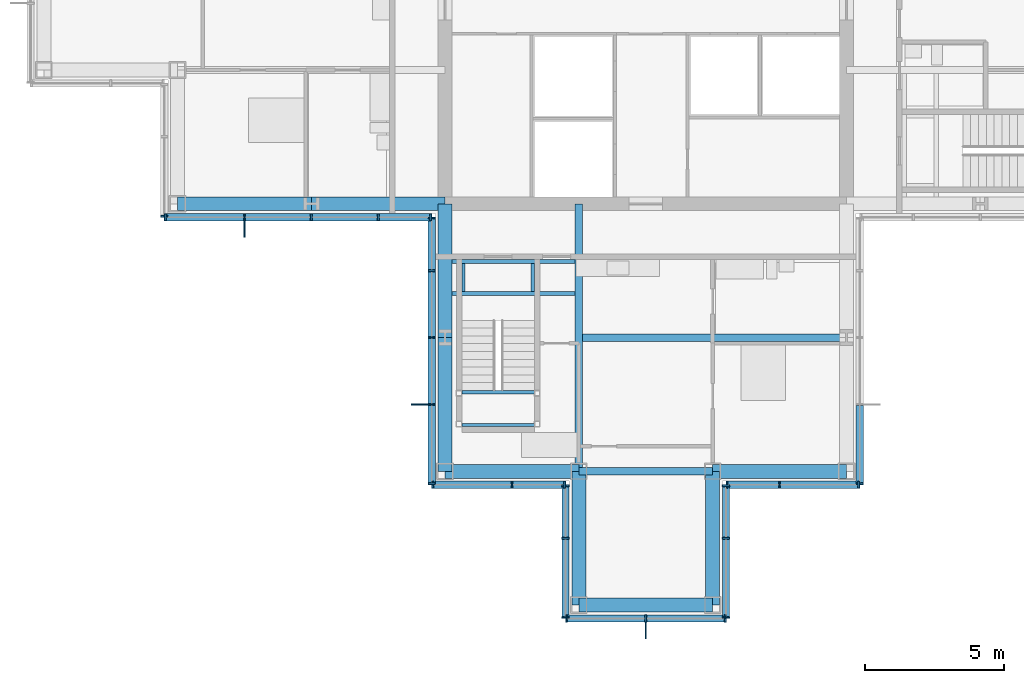
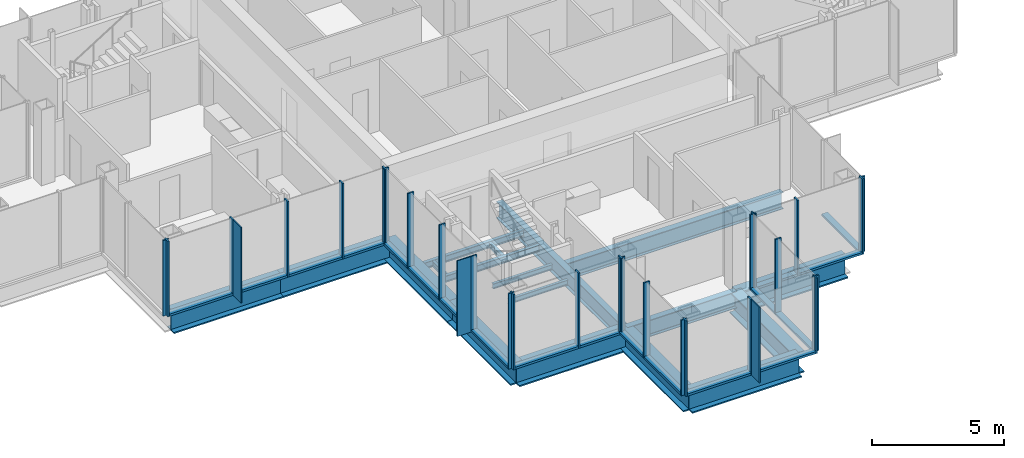
# One storey, part 5 of 15: 49 members, 18 beams, 9 elements without a shape of their own.
"""IFC4 building model written with IfcOpenShell, lengths in metres."""

from ifc_helpers import new_model, si_unit, direction, frame, origin, origin_2d, place, context, subcontext, project, spatial, rectangle, i_section, extrude, material, material_profile, profile_set, type_object, element, aggregate, save


model = new_model("IFC4")

# Units and contexts
model_context = context("Model", 3, precision=1e-05, world=origin(), true_north=direction((0.0, 1.0)))
body_context = subcontext(model_context, "Body", "Model", "MODEL_VIEW")
ifc_project = project(units=[si_unit("LENGTHUNIT", "METRE"), si_unit("AREAUNIT", "SQUARE_METRE"), si_unit("VOLUMEUNIT", "CUBIC_METRE"), si_unit("PLANEANGLEUNIT", "RADIAN"), si_unit("MASSUNIT", "GRAM", prefix="KILO")], contexts=[model_context])

# Site, building, storey
site_placement = place(None, origin())
site = spatial("IfcSite", under=ifc_project, at=site_placement, CompositionType="ELEMENT")
building_placement = place(site_placement, origin())
building = spatial("IfcBuilding", under=site, at=building_placement, Name="Kvirike Care Tower", CompositionType="ELEMENT")
storey_placement = place(building_placement, frame((0.0, 0.0, 198.0)))
storey = spatial("IfcBuildingStorey", under=building, at=storey_placement, Name="L54", CompositionType="ELEMENT", Elevation=198.0)

# Curtain wall, member
ifc_material_1 = material(Name="Anodised aluminium stick system", Category="aluminium")
curtain_wall_type = type_object("IfcCurtainWallType", Name="CW-D STICK CURTAIN WALL", PredefinedType="NOTDEFINED", material=ifc_material_1)
curtain_wall_1_placement = place(storey_placement, origin())
curtain_wall_1 = element("IfcCurtainWall", 1, at=curtain_wall_1_placement, inside=storey, type_object=curtain_wall_type, Name="Curtain wall L54 face 13", PredefinedType="NOTDEFINED")
ifc_material_2 = material(Name="Bronze anodised aluminium fin", Category="aluminium")
ifc_material_profile_1 = material_profile(ifc_material_2, rectangle(XDim=0.050048828125, YDim=0.60009765625, at=origin_2d()), Name="BRONZE FIN 600")
ifc_profile_set_1 = profile_set([ifc_material_profile_1], Name="Bronze anodised aluminium fin")
member_type_1 = type_object("IfcMemberType", Name="BRONZE FIN 600", PredefinedType="USERDEFINED", material=ifc_profile_set_1)
member_1_placement = place(storey_placement, frame((7.199951171875, 27.889892578125, 0.0), z_axis=(0.0, 0.0, 1.0), x_axis=(1.0, 0.0, 0.0)))
member_1 = element("IfcMember", 2, at=member_1_placement, type_object=member_type_1, Name="Bronze fin L54 face 13.2", ObjectType="FIN", PredefinedType="USERDEFINED", context=body_context, shape_type="SweptSolid", body=[
    extrude(rectangle(XDim=0.050048828125, YDim=0.60009765625, at=origin_2d()), origin(), (0.0, 0.0, 1.0), 3.5),
])

curtain_wall_2_placement = place(storey_placement, origin())
curtain_wall_2 = element("IfcCurtainWall", 3, at=curtain_wall_2_placement, inside=storey, type_object=curtain_wall_type, Name="Curtain wall L54 face 14", PredefinedType="NOTDEFINED")
member_2_placement = place(storey_placement, frame((13.489990234375, 21.60009765625, 0.0), z_axis=(0.0, 0.0, 1.0), x_axis=(0.0, -1.0, 0.0)))
member_2 = element("IfcMember", 4, at=member_2_placement, type_object=member_type_1, Name="Bronze fin L54 face 14.4", ObjectType="FIN", PredefinedType="USERDEFINED", context=body_context, shape_type="SweptSolid", body=[
    extrude(rectangle(XDim=0.050048828125, YDim=0.60009765625, at=origin_2d()), origin(), (0.0, 0.0, 1.0), 3.5),
])

curtain_wall_3_placement = place(storey_placement, origin())
curtain_wall_3 = element("IfcCurtainWall", 5, at=curtain_wall_3_placement, inside=storey, type_object=curtain_wall_type, Name="Curtain wall L54 face 17", PredefinedType="NOTDEFINED")
member_3_placement = place(storey_placement, frame((21.60009765625, 13.489990234375, 0.0), z_axis=(0.0, 0.0, 1.0), x_axis=(1.0, 0.0, 0.0)))
member_3 = element("IfcMember", 6, at=member_3_placement, type_object=member_type_1, Name="Bronze fin L54 face 17.2", ObjectType="FIN", PredefinedType="USERDEFINED", context=body_context, shape_type="SweptSolid", body=[
    extrude(rectangle(XDim=0.050048828125, YDim=0.60009765625, at=origin_2d()), origin(), (0.0, 0.0, 1.0), 3.5),
])

curtain_wall_4_placement = place(storey_placement, origin())
curtain_wall_4 = element("IfcCurtainWall", 7, at=curtain_wall_4_placement, inside=storey, type_object=curtain_wall_type, Name="Curtain wall L54 face 12", PredefinedType="NOTDEFINED")
ifc_material_3 = material(Name="Bronze anodised aluminium mullion", Category="aluminium")
ifc_material_profile_2 = material_profile(ifc_material_3, rectangle(XDim=0.06494140625, YDim=0.260009765625, at=origin_2d()), Name="CW-D MULLION 65x260")
ifc_profile_set_2 = profile_set([ifc_material_profile_2], Name="Bronze anodised aluminium mullion")
member_type_2 = type_object("IfcMemberType", Name="CW-D MULLION 65x260", PredefinedType="MULLION", material=ifc_profile_set_2)
member_4_placement = place(storey_placement, frame((4.320068359375, 28.3525390625, 0.0), z_axis=(0.0, 0.0, 1.0), x_axis=(0.0, -1.0, 0.0)))
member_4 = element("IfcMember", 8, at=member_4_placement, type_object=member_type_2, Name="CW-D mullion L54 face 12.3", PredefinedType="MULLION", context=body_context, shape_type="SweptSolid", body=[
    extrude(rectangle(XDim=0.06494140625, YDim=0.260009765625, at=origin_2d()), origin(), (0.0, 0.0, 1.0), 3.5),
])
aggregate(curtain_wall_4, [member_4])

# Member
member_5_placement = place(storey_placement, frame((4.3525390625, 28.320068359375, 0.0), z_axis=(0.0, 0.0, 1.0), x_axis=(1.0, 0.0, 0.0)))
member_5 = element("IfcMember", 9, at=member_5_placement, type_object=member_type_2, Name="CW-D mullion L54 face 13.1", PredefinedType="MULLION", context=body_context, shape_type="SweptSolid", body=[
    extrude(rectangle(XDim=0.06494140625, YDim=0.260009765625, at=origin_2d()), origin(), (0.0, 0.0, 1.0), 3.5),
])

member_6_placement = place(storey_placement, frame((7.199951171875, 28.320068359375, 0.0), z_axis=(0.0, 0.0, 1.0), x_axis=(1.0, 0.0, 0.0)))
member_6 = element("IfcMember", 10, at=member_6_placement, type_object=member_type_2, Name="CW-D mullion L54 face 13.2", PredefinedType="MULLION", context=body_context, shape_type="SweptSolid", body=[
    extrude(rectangle(XDim=0.06494140625, YDim=0.260009765625, at=origin_2d()), origin(), (0.0, 0.0, 1.0), 3.5),
])

member_7_placement = place(storey_placement, frame((9.60009765625, 28.320068359375, 0.0), z_axis=(0.0, 0.0, 1.0), x_axis=(1.0, 0.0, 0.0)))
member_7 = element("IfcMember", 11, at=member_7_placement, type_object=member_type_2, Name="CW-D mullion L54 face 13.3", PredefinedType="MULLION", context=body_context, shape_type="SweptSolid", body=[
    extrude(rectangle(XDim=0.06494140625, YDim=0.260009765625, at=origin_2d()), origin(), (0.0, 0.0, 1.0), 3.5),
])

member_8_placement = place(storey_placement, frame((12.0, 28.320068359375, 0.0), z_axis=(0.0, 0.0, 1.0), x_axis=(1.0, 0.0, 0.0)))
member_8 = element("IfcMember", 12, at=member_8_placement, type_object=member_type_2, Name="CW-D mullion L54 face 13.4", PredefinedType="MULLION", context=body_context, shape_type="SweptSolid", body=[
    extrude(rectangle(XDim=0.06494140625, YDim=0.260009765625, at=origin_2d()), origin(), (0.0, 0.0, 1.0), 3.5),
])

member_9_placement = place(storey_placement, frame((13.887451171875, 28.320068359375, 0.0), z_axis=(0.0, 0.0, 1.0), x_axis=(1.0, 0.0, 0.0)))
member_9 = element("IfcMember", 13, at=member_9_placement, type_object=member_type_2, Name="CW-D mullion L54 face 13.5", PredefinedType="MULLION", context=body_context, shape_type="SweptSolid", body=[
    extrude(rectangle(XDim=0.06494140625, YDim=0.260009765625, at=origin_2d()), origin(), (0.0, 0.0, 1.0), 3.5),
])

member_10_placement = place(storey_placement, frame((13.919921875, 28.28759765625, 0.0), z_axis=(0.0, 0.0, 1.0), x_axis=(0.0, -1.0, 0.0)))
member_10 = element("IfcMember", 14, at=member_10_placement, type_object=member_type_2, Name="CW-D mullion L54 face 14.1", PredefinedType="MULLION", context=body_context, shape_type="SweptSolid", body=[
    extrude(rectangle(XDim=0.06494140625, YDim=0.260009765625, at=origin_2d()), origin(), (0.0, 0.0, 1.0), 3.5),
])

member_11_placement = place(storey_placement, frame((13.919921875, 26.39990234375, 0.0), z_axis=(0.0, 0.0, 1.0), x_axis=(0.0, -1.0, 0.0)))
member_11 = element("IfcMember", 15, at=member_11_placement, type_object=member_type_2, Name="CW-D mullion L54 face 14.2", PredefinedType="MULLION", context=body_context, shape_type="SweptSolid", body=[
    extrude(rectangle(XDim=0.06494140625, YDim=0.260009765625, at=origin_2d()), origin(), (0.0, 0.0, 1.0), 3.5),
])

member_12_placement = place(storey_placement, frame((13.919921875, 24.0, 0.0), z_axis=(0.0, 0.0, 1.0), x_axis=(0.0, -1.0, 0.0)))
member_12 = element("IfcMember", 16, at=member_12_placement, type_object=member_type_2, Name="CW-D mullion L54 face 14.3", PredefinedType="MULLION", context=body_context, shape_type="SweptSolid", body=[
    extrude(rectangle(XDim=0.06494140625, YDim=0.260009765625, at=origin_2d()), origin(), (0.0, 0.0, 1.0), 3.5),
])

member_13_placement = place(storey_placement, frame((13.919921875, 21.60009765625, 0.0), z_axis=(0.0, 0.0, 1.0), x_axis=(0.0, -1.0, 0.0)))
member_13 = element("IfcMember", 17, at=member_13_placement, type_object=member_type_2, Name="CW-D mullion L54 face 14.4", PredefinedType="MULLION", context=body_context, shape_type="SweptSolid", body=[
    extrude(rectangle(XDim=0.06494140625, YDim=0.260009765625, at=origin_2d()), origin(), (0.0, 0.0, 1.0), 3.5),
])

member_14_placement = place(storey_placement, frame((13.919921875, 18.75244140625, 0.0), z_axis=(0.0, 0.0, 1.0), x_axis=(0.0, -1.0, 0.0)))
member_14 = element("IfcMember", 18, at=member_14_placement, type_object=member_type_2, Name="CW-D mullion L54 face 14.5", PredefinedType="MULLION", context=body_context, shape_type="SweptSolid", body=[
    extrude(rectangle(XDim=0.06494140625, YDim=0.260009765625, at=origin_2d()), origin(), (0.0, 0.0, 1.0), 3.5),
])

# Curtain wall, members
curtain_wall_5_placement = place(storey_placement, origin())
curtain_wall_5 = element("IfcCurtainWall", 19, at=curtain_wall_5_placement, inside=storey, type_object=curtain_wall_type, Name="Curtain wall L54 face 15", PredefinedType="NOTDEFINED")
member_15_placement = place(storey_placement, frame((13.952392578125, 18.719970703125, 0.0), z_axis=(0.0, 0.0, 1.0), x_axis=(1.0, 0.0, 0.0)))
member_15 = element("IfcMember", 20, at=member_15_placement, type_object=member_type_2, Name="CW-D mullion L54 face 15.1", PredefinedType="MULLION", context=body_context, shape_type="SweptSolid", body=[
    extrude(rectangle(XDim=0.06494140625, YDim=0.260009765625, at=origin_2d()), origin(), (0.0, 0.0, 1.0), 3.5),
])
member_16_placement = place(storey_placement, frame((16.800048828125, 18.719970703125, 0.0), z_axis=(0.0, 0.0, 1.0), x_axis=(1.0, 0.0, 0.0)))
member_16 = element("IfcMember", 21, at=member_16_placement, type_object=member_type_2, Name="CW-D mullion L54 face 15.2", PredefinedType="MULLION", context=body_context, shape_type="SweptSolid", body=[
    extrude(rectangle(XDim=0.06494140625, YDim=0.260009765625, at=origin_2d()), origin(), (0.0, 0.0, 1.0), 3.5),
])
member_17_placement = place(storey_placement, frame((18.6875, 18.719970703125, 0.0), z_axis=(0.0, 0.0, 1.0), x_axis=(1.0, 0.0, 0.0)))
member_17 = element("IfcMember", 22, at=member_17_placement, type_object=member_type_2, Name="CW-D mullion L54 face 15.3", PredefinedType="MULLION", context=body_context, shape_type="SweptSolid", body=[
    extrude(rectangle(XDim=0.06494140625, YDim=0.260009765625, at=origin_2d()), origin(), (0.0, 0.0, 1.0), 3.5),
])

curtain_wall_6_placement = place(storey_placement, origin())
curtain_wall_6 = element("IfcCurtainWall", 23, at=curtain_wall_6_placement, inside=storey, type_object=curtain_wall_type, Name="Curtain wall L54 face 16", PredefinedType="NOTDEFINED")
member_18_placement = place(storey_placement, frame((18.719970703125, 18.6875, 0.0), z_axis=(0.0, 0.0, 1.0), x_axis=(0.0, -1.0, 0.0)))
member_18 = element("IfcMember", 24, at=member_18_placement, type_object=member_type_2, Name="CW-D mullion L54 face 16.1", PredefinedType="MULLION", context=body_context, shape_type="SweptSolid", body=[
    extrude(rectangle(XDim=0.06494140625, YDim=0.260009765625, at=origin_2d()), origin(), (0.0, 0.0, 1.0), 3.5),
])
member_19_placement = place(storey_placement, frame((18.719970703125, 16.800048828125, 0.0), z_axis=(0.0, 0.0, 1.0), x_axis=(0.0, -1.0, 0.0)))
member_19 = element("IfcMember", 25, at=member_19_placement, type_object=member_type_2, Name="CW-D mullion L54 face 16.2", PredefinedType="MULLION", context=body_context, shape_type="SweptSolid", body=[
    extrude(rectangle(XDim=0.06494140625, YDim=0.260009765625, at=origin_2d()), origin(), (0.0, 0.0, 1.0), 3.5),
])
member_20_placement = place(storey_placement, frame((18.719970703125, 13.952392578125, 0.0), z_axis=(0.0, 0.0, 1.0), x_axis=(0.0, -1.0, 0.0)))
member_20 = element("IfcMember", 26, at=member_20_placement, type_object=member_type_2, Name="CW-D mullion L54 face 16.3", PredefinedType="MULLION", context=body_context, shape_type="SweptSolid", body=[
    extrude(rectangle(XDim=0.06494140625, YDim=0.260009765625, at=origin_2d()), origin(), (0.0, 0.0, 1.0), 3.5),
])

# Member
member_21_placement = place(storey_placement, frame((18.75244140625, 13.919921875, 0.0), z_axis=(0.0, 0.0, 1.0), x_axis=(1.0, 0.0, 0.0)))
member_21 = element("IfcMember", 27, at=member_21_placement, type_object=member_type_2, Name="CW-D mullion L54 face 17.1", PredefinedType="MULLION", context=body_context, shape_type="SweptSolid", body=[
    extrude(rectangle(XDim=0.06494140625, YDim=0.260009765625, at=origin_2d()), origin(), (0.0, 0.0, 1.0), 3.5),
])

member_22_placement = place(storey_placement, frame((21.60009765625, 13.919921875, 0.0), z_axis=(0.0, 0.0, 1.0), x_axis=(1.0, 0.0, 0.0)))
member_22 = element("IfcMember", 28, at=member_22_placement, type_object=member_type_2, Name="CW-D mullion L54 face 17.2", PredefinedType="MULLION", context=body_context, shape_type="SweptSolid", body=[
    extrude(rectangle(XDim=0.06494140625, YDim=0.260009765625, at=origin_2d()), origin(), (0.0, 0.0, 1.0), 3.5),
])

member_23_placement = place(storey_placement, frame((24.447509765625, 13.919921875, 0.0), z_axis=(0.0, 0.0, 1.0), x_axis=(1.0, 0.0, 0.0)))
member_23 = element("IfcMember", 29, at=member_23_placement, type_object=member_type_2, Name="CW-D mullion L54 face 17.3", PredefinedType="MULLION", context=body_context, shape_type="SweptSolid", body=[
    extrude(rectangle(XDim=0.06494140625, YDim=0.260009765625, at=origin_2d()), origin(), (0.0, 0.0, 1.0), 3.5),
])

# Curtain wall, members
curtain_wall_7_placement = place(storey_placement, origin())
curtain_wall_7 = element("IfcCurtainWall", 30, at=curtain_wall_7_placement, inside=storey, type_object=curtain_wall_type, Name="Curtain wall L54 face 18", PredefinedType="NOTDEFINED")
member_24_placement = place(storey_placement, frame((24.47998046875, 13.952392578125, 0.0), z_axis=(0.0, 0.0, 1.0), x_axis=(0.0, 1.0, 0.0)))
member_24 = element("IfcMember", 31, at=member_24_placement, type_object=member_type_2, Name="CW-D mullion L54 face 18.1", PredefinedType="MULLION", context=body_context, shape_type="SweptSolid", body=[
    extrude(rectangle(XDim=0.06494140625, YDim=0.260009765625, at=origin_2d()), origin(), (0.0, 0.0, 1.0), 3.5),
])
member_25_placement = place(storey_placement, frame((24.47998046875, 16.800048828125, 0.0), z_axis=(0.0, 0.0, 1.0), x_axis=(0.0, 1.0, 0.0)))
member_25 = element("IfcMember", 32, at=member_25_placement, type_object=member_type_2, Name="CW-D mullion L54 face 18.2", PredefinedType="MULLION", context=body_context, shape_type="SweptSolid", body=[
    extrude(rectangle(XDim=0.06494140625, YDim=0.260009765625, at=origin_2d()), origin(), (0.0, 0.0, 1.0), 3.5),
])
member_26_placement = place(storey_placement, frame((24.47998046875, 18.6875, 0.0), z_axis=(0.0, 0.0, 1.0), x_axis=(0.0, 1.0, 0.0)))
member_26 = element("IfcMember", 33, at=member_26_placement, type_object=member_type_2, Name="CW-D mullion L54 face 18.3", PredefinedType="MULLION", context=body_context, shape_type="SweptSolid", body=[
    extrude(rectangle(XDim=0.06494140625, YDim=0.260009765625, at=origin_2d()), origin(), (0.0, 0.0, 1.0), 3.5),
])

curtain_wall_8_placement = place(storey_placement, origin())
curtain_wall_8 = element("IfcCurtainWall", 34, at=curtain_wall_8_placement, inside=storey, type_object=curtain_wall_type, Name="Curtain wall L54 face 19", PredefinedType="NOTDEFINED")
member_27_placement = place(storey_placement, frame((24.512451171875, 18.719970703125, 0.0), z_axis=(0.0, 0.0, 1.0), x_axis=(1.0, 0.0, 0.0)))
member_27 = element("IfcMember", 35, at=member_27_placement, type_object=member_type_2, Name="CW-D mullion L54 face 19.1", PredefinedType="MULLION", context=body_context, shape_type="SweptSolid", body=[
    extrude(rectangle(XDim=0.06494140625, YDim=0.260009765625, at=origin_2d()), origin(), (0.0, 0.0, 1.0), 3.5),
])
member_28_placement = place(storey_placement, frame((26.39990234375, 18.719970703125, 0.0), z_axis=(0.0, 0.0, 1.0), x_axis=(1.0, 0.0, 0.0)))
member_28 = element("IfcMember", 36, at=member_28_placement, type_object=member_type_2, Name="CW-D mullion L54 face 19.2", PredefinedType="MULLION", context=body_context, shape_type="SweptSolid", body=[
    extrude(rectangle(XDim=0.06494140625, YDim=0.260009765625, at=origin_2d()), origin(), (0.0, 0.0, 1.0), 3.5),
])
member_29_placement = place(storey_placement, frame((29.24755859375, 18.719970703125, 0.0), z_axis=(0.0, 0.0, 1.0), x_axis=(1.0, 0.0, 0.0)))
member_29 = element("IfcMember", 37, at=member_29_placement, type_object=member_type_2, Name="CW-D mullion L54 face 19.3", PredefinedType="MULLION", context=body_context, shape_type="SweptSolid", body=[
    extrude(rectangle(XDim=0.06494140625, YDim=0.260009765625, at=origin_2d()), origin(), (0.0, 0.0, 1.0), 3.5),
])

# Curtain wall, member
curtain_wall_9_placement = place(storey_placement, origin())
curtain_wall_9 = element("IfcCurtainWall", 38, at=curtain_wall_9_placement, inside=storey, type_object=curtain_wall_type, Name="Curtain wall L54 face 20", PredefinedType="NOTDEFINED")
member_30_placement = place(storey_placement, frame((29.280029296875, 18.75244140625, 0.0), z_axis=(0.0, 0.0, 1.0), x_axis=(0.0, 1.0, 0.0)))
member_30 = element("IfcMember", 39, at=member_30_placement, type_object=member_type_2, Name="CW-D mullion L54 face 20.1", PredefinedType="MULLION", context=body_context, shape_type="SweptSolid", body=[
    extrude(rectangle(XDim=0.06494140625, YDim=0.260009765625, at=origin_2d()), origin(), (0.0, 0.0, 1.0), 3.5),
])

# Member
ifc_material_4 = material(Name="Bronze anodised aluminium transom", Category="aluminium")
ifc_material_profile_3 = material_profile(ifc_material_4, rectangle(XDim=0.260009765625, YDim=0.10009765625, at=origin_2d()), Name="CW-D TRANSOM 260x100")
ifc_profile_set_3 = profile_set([ifc_material_profile_3], Name="Bronze anodised aluminium transom")
member_type_3 = type_object("IfcMemberType", Name="CW-D TRANSOM 260x100", PredefinedType="USERDEFINED", material=ifc_profile_set_3)
member_31_placement = place(storey_placement, frame((4.385009765625, 28.320068359375, 0.050048828125), z_axis=(1.0, 0.0, 0.0), x_axis=(0.0, 1.0, 0.0)))
member_31 = element("IfcMember", 40, at=member_31_placement, type_object=member_type_3, Name="CW-D sill transom L54 face 13.1", ObjectType="TRANSOM", PredefinedType="USERDEFINED", context=body_context, shape_type="SweptSolid", body=[
    extrude(rectangle(XDim=0.260009765625, YDim=0.10009765625, at=origin_2d()), origin(), (0.0, 0.0, 1.0), 2.782470703125),
])

member_32_placement = place(storey_placement, frame((7.232421875, 28.320068359375, 0.050048828125), z_axis=(1.0, 0.0, 0.0), x_axis=(0.0, 1.0, 0.0)))
member_32 = element("IfcMember", 41, at=member_32_placement, type_object=member_type_3, Name="CW-D sill transom L54 face 13.2", ObjectType="TRANSOM", PredefinedType="USERDEFINED", context=body_context, shape_type="SweptSolid", body=[
    extrude(rectangle(XDim=0.260009765625, YDim=0.10009765625, at=origin_2d()), origin(), (0.0, 0.0, 1.0), 2.3349609375),
])

member_33_placement = place(storey_placement, frame((9.632568359375, 28.320068359375, 0.050048828125), z_axis=(1.0, 0.0, 0.0), x_axis=(0.0, 1.0, 0.0)))
member_33 = element("IfcMember", 42, at=member_33_placement, type_object=member_type_3, Name="CW-D sill transom L54 face 13.3", ObjectType="TRANSOM", PredefinedType="USERDEFINED", context=body_context, shape_type="SweptSolid", body=[
    extrude(rectangle(XDim=0.260009765625, YDim=0.10009765625, at=origin_2d()), origin(), (0.0, 0.0, 1.0), 2.3349609375),
])

member_34_placement = place(storey_placement, frame((12.032470703125, 28.320068359375, 0.050048828125), z_axis=(1.0, 0.0, 0.0), x_axis=(0.0, 1.0, 0.0)))
member_34 = element("IfcMember", 43, at=member_34_placement, type_object=member_type_3, Name="CW-D sill transom L54 face 13.4", ObjectType="TRANSOM", PredefinedType="USERDEFINED", context=body_context, shape_type="SweptSolid", body=[
    extrude(rectangle(XDim=0.260009765625, YDim=0.10009765625, at=origin_2d()), origin(), (0.0, 0.0, 1.0), 1.822509765625),
])

aggregate(curtain_wall_1, [member_5, member_6, member_1, member_7, member_8, member_9, member_31, member_32, member_33, member_34])

member_35_placement = place(storey_placement, frame((13.919921875, 28.2548828125, 0.050048828125), z_axis=(0.0, -1.0, 0.0), x_axis=(1.0, 0.0, 0.0)))
member_35 = element("IfcMember", 44, at=member_35_placement, type_object=member_type_3, Name="CW-D sill transom L54 face 14.1", ObjectType="TRANSOM", PredefinedType="USERDEFINED", context=body_context, shape_type="SweptSolid", body=[
    extrude(rectangle(XDim=0.260009765625, YDim=0.10009765625, at=origin_2d()), origin(), (0.0, 0.0, 1.0), 1.822265625),
])

member_36_placement = place(storey_placement, frame((13.919921875, 26.367431640625, 0.050048828125), z_axis=(0.0, -1.0, 0.0), x_axis=(1.0, 0.0, 0.0)))
member_36 = element("IfcMember", 45, at=member_36_placement, type_object=member_type_3, Name="CW-D sill transom L54 face 14.2", ObjectType="TRANSOM", PredefinedType="USERDEFINED", context=body_context, shape_type="SweptSolid", body=[
    extrude(rectangle(XDim=0.260009765625, YDim=0.10009765625, at=origin_2d()), origin(), (0.0, 0.0, 1.0), 2.3349609375),
])

member_37_placement = place(storey_placement, frame((13.919921875, 23.967529296875, 0.050048828125), z_axis=(0.0, -1.0, 0.0), x_axis=(1.0, 0.0, 0.0)))
member_37 = element("IfcMember", 46, at=member_37_placement, type_object=member_type_3, Name="CW-D sill transom L54 face 14.3", ObjectType="TRANSOM", PredefinedType="USERDEFINED", context=body_context, shape_type="SweptSolid", body=[
    extrude(rectangle(XDim=0.260009765625, YDim=0.10009765625, at=origin_2d()), origin(), (0.0, 0.0, 1.0), 2.3349609375),
])

member_38_placement = place(storey_placement, frame((13.919921875, 21.5673828125, 0.050048828125), z_axis=(0.0, -1.0, 0.0), x_axis=(1.0, 0.0, 0.0)))
member_38 = element("IfcMember", 47, at=member_38_placement, type_object=member_type_3, Name="CW-D sill transom L54 face 14.4", ObjectType="TRANSOM", PredefinedType="USERDEFINED", context=body_context, shape_type="SweptSolid", body=[
    extrude(rectangle(XDim=0.260009765625, YDim=0.10009765625, at=origin_2d()), origin(), (0.0, 0.0, 1.0), 2.782470703125),
])

aggregate(curtain_wall_2, [member_10, member_11, member_12, member_13, member_2, member_14, member_35, member_36, member_37, member_38])

member_39_placement = place(storey_placement, frame((13.985107421875, 18.719970703125, 0.050048828125), z_axis=(1.0, 0.0, 0.0), x_axis=(0.0, 1.0, 0.0)))
member_39 = element("IfcMember", 48, at=member_39_placement, type_object=member_type_3, Name="CW-D sill transom L54 face 15.1", ObjectType="TRANSOM", PredefinedType="USERDEFINED", context=body_context, shape_type="SweptSolid", body=[
    extrude(rectangle(XDim=0.260009765625, YDim=0.10009765625, at=origin_2d()), origin(), (0.0, 0.0, 1.0), 2.782470703125),
])

member_40_placement = place(storey_placement, frame((16.83251953125, 18.719970703125, 0.050048828125), z_axis=(1.0, 0.0, 0.0), x_axis=(0.0, 1.0, 0.0)))
member_40 = element("IfcMember", 49, at=member_40_placement, type_object=member_type_3, Name="CW-D sill transom L54 face 15.2", ObjectType="TRANSOM", PredefinedType="USERDEFINED", context=body_context, shape_type="SweptSolid", body=[
    extrude(rectangle(XDim=0.260009765625, YDim=0.10009765625, at=origin_2d()), origin(), (0.0, 0.0, 1.0), 1.822509765625),
])

aggregate(curtain_wall_5, [member_15, member_16, member_17, member_39, member_40])

member_41_placement = place(storey_placement, frame((18.719970703125, 18.655029296875, 0.050048828125), z_axis=(0.0, -1.0, 0.0), x_axis=(1.0, 0.0, 0.0)))
member_41 = element("IfcMember", 50, at=member_41_placement, type_object=member_type_3, Name="CW-D sill transom L54 face 16.1", ObjectType="TRANSOM", PredefinedType="USERDEFINED", context=body_context, shape_type="SweptSolid", body=[
    extrude(rectangle(XDim=0.260009765625, YDim=0.10009765625, at=origin_2d()), origin(), (0.0, 0.0, 1.0), 1.822509765625),
])

member_42_placement = place(storey_placement, frame((18.719970703125, 16.767578125, 0.050048828125), z_axis=(0.0, -1.0, 0.0), x_axis=(1.0, 0.0, 0.0)))
member_42 = element("IfcMember", 51, at=member_42_placement, type_object=member_type_3, Name="CW-D sill transom L54 face 16.2", ObjectType="TRANSOM", PredefinedType="USERDEFINED", context=body_context, shape_type="SweptSolid", body=[
    extrude(rectangle(XDim=0.260009765625, YDim=0.10009765625, at=origin_2d()), origin(), (0.0, 0.0, 1.0), 2.782470703125),
])

aggregate(curtain_wall_6, [member_18, member_19, member_20, member_41, member_42])

member_43_placement = place(storey_placement, frame((18.784912109375, 13.919921875, 0.050048828125), z_axis=(1.0, 0.0, 0.0), x_axis=(0.0, 1.0, 0.0)))
member_43 = element("IfcMember", 52, at=member_43_placement, type_object=member_type_3, Name="CW-D sill transom L54 face 17.1", ObjectType="TRANSOM", PredefinedType="USERDEFINED", context=body_context, shape_type="SweptSolid", body=[
    extrude(rectangle(XDim=0.260009765625, YDim=0.10009765625, at=origin_2d()), origin(), (0.0, 0.0, 1.0), 2.782470703125),
])

member_44_placement = place(storey_placement, frame((21.632568359375, 13.919921875, 0.050048828125), z_axis=(1.0, 0.0, 0.0), x_axis=(0.0, 1.0, 0.0)))
member_44 = element("IfcMember", 53, at=member_44_placement, type_object=member_type_3, Name="CW-D sill transom L54 face 17.2", ObjectType="TRANSOM", PredefinedType="USERDEFINED", context=body_context, shape_type="SweptSolid", body=[
    extrude(rectangle(XDim=0.260009765625, YDim=0.10009765625, at=origin_2d()), origin(), (0.0, 0.0, 1.0), 2.782470703125),
])

aggregate(curtain_wall_3, [member_21, member_22, member_3, member_23, member_43, member_44])

member_45_placement = place(storey_placement, frame((24.47998046875, 13.985107421875, 0.050048828125), z_axis=(0.0, 1.0, 0.0), x_axis=(-1.0, 0.0, 0.0)))
member_45 = element("IfcMember", 54, at=member_45_placement, type_object=member_type_3, Name="CW-D sill transom L54 face 18.1", ObjectType="TRANSOM", PredefinedType="USERDEFINED", context=body_context, shape_type="SweptSolid", body=[
    extrude(rectangle(XDim=0.260009765625, YDim=0.10009765625, at=origin_2d()), origin(), (0.0, 0.0, 1.0), 2.782470703125),
])

member_46_placement = place(storey_placement, frame((24.47998046875, 16.83251953125, 0.050048828125), z_axis=(0.0, 1.0, 0.0), x_axis=(-1.0, 0.0, 0.0)))
member_46 = element("IfcMember", 55, at=member_46_placement, type_object=member_type_3, Name="CW-D sill transom L54 face 18.2", ObjectType="TRANSOM", PredefinedType="USERDEFINED", context=body_context, shape_type="SweptSolid", body=[
    extrude(rectangle(XDim=0.260009765625, YDim=0.10009765625, at=origin_2d()), origin(), (0.0, 0.0, 1.0), 1.822509765625),
])

aggregate(curtain_wall_7, [member_24, member_25, member_26, member_45, member_46])

member_47_placement = place(storey_placement, frame((24.544921875, 18.719970703125, 0.050048828125), z_axis=(1.0, 0.0, 0.0), x_axis=(0.0, 1.0, 0.0)))
member_47 = element("IfcMember", 56, at=member_47_placement, type_object=member_type_3, Name="CW-D sill transom L54 face 19.1", ObjectType="TRANSOM", PredefinedType="USERDEFINED", context=body_context, shape_type="SweptSolid", body=[
    extrude(rectangle(XDim=0.260009765625, YDim=0.10009765625, at=origin_2d()), origin(), (0.0, 0.0, 1.0), 1.822509765625),
])

member_48_placement = place(storey_placement, frame((26.4326171875, 18.719970703125, 0.050048828125), z_axis=(1.0, 0.0, 0.0), x_axis=(0.0, 1.0, 0.0)))
member_48 = element("IfcMember", 57, at=member_48_placement, type_object=member_type_3, Name="CW-D sill transom L54 face 19.2", ObjectType="TRANSOM", PredefinedType="USERDEFINED", context=body_context, shape_type="SweptSolid", body=[
    extrude(rectangle(XDim=0.260009765625, YDim=0.10009765625, at=origin_2d()), origin(), (0.0, 0.0, 1.0), 2.782470703125),
])

aggregate(curtain_wall_8, [member_27, member_28, member_29, member_47, member_48])

member_49_placement = place(storey_placement, frame((29.280029296875, 18.784912109375, 0.050048828125), z_axis=(0.0, 1.0, 0.0), x_axis=(-1.0, 0.0, 0.0)))
member_49 = element("IfcMember", 58, at=member_49_placement, type_object=member_type_3, Name="CW-D sill transom L54 face 20.1", ObjectType="TRANSOM", PredefinedType="USERDEFINED", context=body_context, shape_type="SweptSolid", body=[
    extrude(rectangle(XDim=0.260009765625, YDim=0.10009765625, at=origin_2d()), origin(), (0.0, 0.0, 1.0), 2.782470703125),
])

aggregate(curtain_wall_9, [member_30, member_49])

# Beams
ifc_material_5 = material(Name="Steel S355", Category="steel")
ifc_material_profile_4 = material_profile(ifc_material_5, i_section(OverallWidth=0.26806640625, OverallDepth=0.77001953125, WebThickness=0.015625, FlangeThickness=0.025390625, FilletRadius=0.01708984375, at=origin_2d()), Name="IPE 750x196")
ifc_profile_set_4 = profile_set([ifc_material_profile_4], Name="Steel S355")
beam_type_1 = type_object("IfcBeamType", Name="FLOOR BEAM IPE 750x196", PredefinedType="BEAM", material=ifc_profile_set_4)
beam_1_placement = place(storey_placement, frame((19.199951171875, 19.199951171875, -0.554931640625), z_axis=(1.0, 0.0, 0.0), x_axis=(0.0, 1.0, 0.0)))
element("IfcBeam", 59, at=beam_1_placement, inside=storey, type_object=beam_type_1, Name="Floor Beam E7-E8 L54", PredefinedType="BEAM", context=body_context, shape_type="SweptSolid", body=[
    extrude(i_section(OverallWidth=0.26806640625, OverallDepth=0.77001953125, WebThickness=0.015625, FlangeThickness=0.025390625, FilletRadius=0.01708984375, at=origin_2d()), origin(), (0.0, 0.0, 1.0), 4.800048828125),
])
for number, where, z_axis, x_axis, name in (
    (60, (19.199951171875, 24.0, -0.554931640625), (1.0, 0.0, 0.0), (0.0, 1.0, 0.0), "Floor Beam F7-F9 L54"),
    (61, (19.199951171875, 19.199951171875, -0.554931640625), (0.0, 1.0, 0.0), (-1.0, 0.0, 0.0), "Floor Beam E7-G7 L54"),
):
    element("IfcBeam", number, at=place(storey_placement, frame(where, z_axis=z_axis, x_axis=x_axis)), inside=storey, type_object=beam_type_1, Name=name, PredefinedType="BEAM", context=body_context, shape_type="SweptSolid", body=[
        extrude(i_section(OverallWidth=0.26806640625, OverallDepth=0.77001953125, WebThickness=0.015625, FlangeThickness=0.025390625, FilletRadius=0.01708984375, at=origin_2d()), origin(), (0.0, 0.0, 1.0), 9.60009765625),
    ])
ifc_material_6 = material(Name="Steel S355", Category="steel")
ifc_material_profile_5 = material_profile(ifc_material_6, i_section(OverallWidth=0.5, OverallDepth=1.0, WebThickness=0.030029296875, FlangeThickness=0.06005859375, at=origin_2d()), Name="PG 1000x500x30x60")
ifc_profile_set_5 = profile_set([ifc_material_profile_5], Name="Steel S355")
beam_type_2 = type_object("IfcBeamType", Name="SPANDREL PG 1000x500x30x60", PredefinedType="SPANDREL", material=ifc_profile_set_5)
for number, where, z_axis, x_axis, name in (
    (62, (19.199951171875, 14.39990234375, -0.669921875), (1.0, 0.0, 0.0), (0.0, 1.0, 0.0), "Spandrel D7-D8 L54"),
    (63, (14.39990234375, 19.199951171875, -0.669921875), (1.0, 0.0, 0.0), (0.0, 1.0, 0.0), "Spandrel E6-E7 L54"),
    (64, (24.0, 19.199951171875, -0.669921875), (1.0, 0.0, 0.0), (0.0, 1.0, 0.0), "Spandrel E8-E9 L54"),
    (65, (4.800048828125, 28.800048828125, -0.669921875), (1.0, 0.0, 0.0), (0.0, 1.0, 0.0), "Spandrel G4-G5 L54"),
):
    element("IfcBeam", number, at=place(storey_placement, frame(where, z_axis=z_axis, x_axis=x_axis)), inside=storey, type_object=beam_type_2, Name=name, PredefinedType="SPANDREL", context=body_context, shape_type="SweptSolid", body=[
        extrude(i_section(OverallWidth=0.5, OverallDepth=1.0, WebThickness=0.030029296875, FlangeThickness=0.06005859375, at=origin_2d()), origin(), (0.0, 0.0, 1.0), 4.800048828125),
    ])
beam_2_placement = place(storey_placement, frame((9.60009765625, 28.800048828125, -0.669921875), z_axis=(1.0, 0.0, 0.0), x_axis=(0.0, 1.0, 0.0)))
element("IfcBeam", 66, at=beam_2_placement, inside=storey, type_object=beam_type_2, Name="Spandrel G5-G6 L54", PredefinedType="SPANDREL", context=body_context, shape_type="SweptSolid", body=[
    extrude(i_section(OverallWidth=0.5, OverallDepth=1.0, WebThickness=0.030029296875, FlangeThickness=0.06005859375, at=origin_2d()), origin(), (0.0, 0.0, 1.0), 4.7998046875),
])
for number, where, z_axis, x_axis, name in (
    (67, (14.39990234375, 19.199951171875, -0.669921875), (0.0, 1.0, 0.0), (-1.0, 0.0, 0.0), "Spandrel E6-F6 L54"),
    (68, (14.39990234375, 24.0, -0.669921875), (0.0, 1.0, 0.0), (-1.0, 0.0, 0.0), "Spandrel F6-G6 L54"),
    (69, (19.199951171875, 14.39990234375, -0.669921875), (0.0, 1.0, 0.0), (-1.0, 0.0, 0.0), "Spandrel D7-E7 L54"),
    (70, (24.0, 14.39990234375, -0.669921875), (0.0, 1.0, 0.0), (-1.0, 0.0, 0.0), "Spandrel D8-E8 L54"),
):
    element("IfcBeam", number, at=place(storey_placement, frame(where, z_axis=z_axis, x_axis=x_axis)), inside=storey, type_object=beam_type_2, Name=name, PredefinedType="SPANDREL", context=body_context, shape_type="SweptSolid", body=[
        extrude(i_section(OverallWidth=0.5, OverallDepth=1.0, WebThickness=0.030029296875, FlangeThickness=0.06005859375, at=origin_2d()), origin(), (0.0, 0.0, 1.0), 4.800048828125),
    ])
ifc_material_7 = material(Name="Steel S355", Category="steel")
ifc_material_profile_6 = material_profile(ifc_material_7, i_section(OverallWidth=0.1201171875, OverallDepth=0.239990234375, WebThickness=0.006103515625, FlangeThickness=0.009765625, FilletRadius=0.014892578125, at=origin_2d()), Name="IPE 240")
ifc_profile_set_6 = profile_set([ifc_material_profile_6], Name="Steel S355")
beam_type_3 = type_object("IfcBeamType", Name="STAIR LANDING BEAM IPE 240", PredefinedType="BEAM", material=ifc_profile_set_6)
for number, where, z_axis, x_axis, name in (
    (71, (15.0, 20.860107421875, 1.429931640625), (1.0, 0.0, 0.0), (0.0, 1.0, 0.0), "Stair 5 landing beam back L54"),
    (72, (15.0, 22.0400390625, 1.429931640625), (1.0, 0.0, 0.0), (0.0, 1.0, 0.0), "Stair 5 landing beam front L54"),
):
    element("IfcBeam", number, at=place(storey_placement, frame(where, z_axis=z_axis, x_axis=x_axis)), inside=storey, type_object=beam_type_3, Name=name, PredefinedType="BEAM", context=body_context, shape_type="SweptSolid", body=[
        extrude(i_section(OverallWidth=0.1201171875, OverallDepth=0.239990234375, WebThickness=0.006103515625, FlangeThickness=0.009765625, FilletRadius=0.014892578125, at=origin_2d()), origin(), (0.0, 0.0, 1.0), 2.60009765625),
    ])
for number, where, z_axis, x_axis, name in (
    (73, (15.06005859375, 25.64990234375, -0.320068359375), (0.0, 1.0, 0.0), (-1.0, 0.0, 0.0), "Stair 5 landing edge beam 1 L54"),
    (74, (17.5400390625, 25.64990234375, -0.320068359375), (0.0, 1.0, 0.0), (-1.0, 0.0, 0.0), "Stair 5 landing edge beam 2 L54"),
):
    element("IfcBeam", number, at=place(storey_placement, frame(where, z_axis=z_axis, x_axis=x_axis)), inside=storey, type_object=beam_type_3, Name=name, PredefinedType="BEAM", context=body_context, shape_type="SweptSolid", body=[
        extrude(i_section(OverallWidth=0.1201171875, OverallDepth=0.239990234375, WebThickness=0.006103515625, FlangeThickness=0.009765625, FilletRadius=0.014892578125, at=origin_2d()), origin(), (0.0, 0.0, 1.0), 1.0),
    ])
ifc_material_8 = material(Name="Steel S355", Category="steel")
ifc_material_profile_7 = material_profile(ifc_material_8, i_section(OverallWidth=0.14990234375, OverallDepth=0.300048828125, WebThickness=0.007080078125, FlangeThickness=0.0107421875, FilletRadius=0.014892578125, at=origin_2d()), Name="IPE 300")
ifc_profile_set_7 = profile_set([ifc_material_profile_7], Name="Steel S355")
beam_type_4 = type_object("IfcBeamType", Name="STAIR TRIMMER IPE 300", PredefinedType="BEAM", material=ifc_profile_set_7)
for number, where, z_axis, x_axis, name in (
    (75, (14.64990234375, 25.574951171875, -0.35009765625), (1.0, 0.0, 0.0), (0.0, 1.0, 0.0), "Stair 5 trimmer 1 L54"),
    (76, (14.64990234375, 26.72509765625, -0.35009765625), (1.0, 0.0, 0.0), (0.0, 1.0, 0.0), "Stair 5 trimmer 2 L54"),
):
    element("IfcBeam", number, at=place(storey_placement, frame(where, z_axis=z_axis, x_axis=x_axis)), inside=storey, type_object=beam_type_4, Name=name, PredefinedType="BEAM", context=body_context, shape_type="SweptSolid", body=[
        extrude(i_section(OverallWidth=0.14990234375, OverallDepth=0.300048828125, WebThickness=0.007080078125, FlangeThickness=0.0107421875, FilletRadius=0.014892578125, at=origin_2d()), origin(), (0.0, 0.0, 1.0), 4.416015625),
    ])

save(model, "model.ifc")
